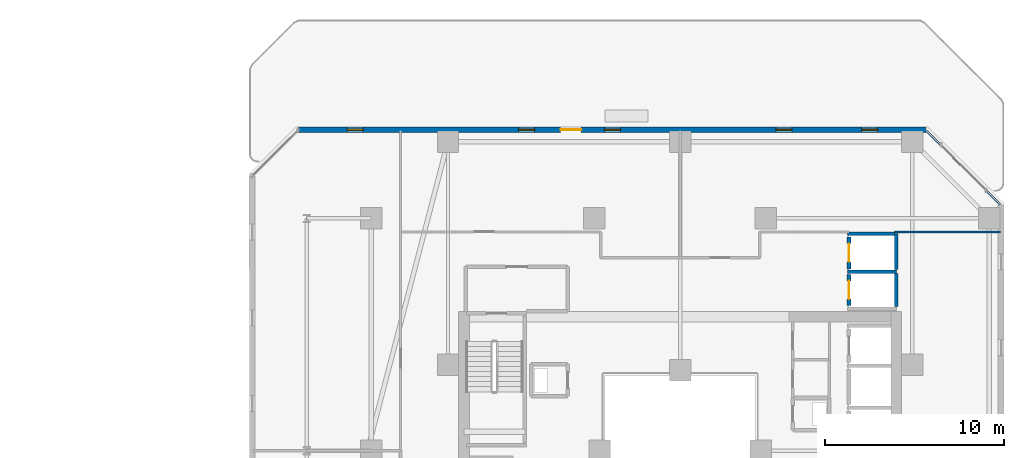
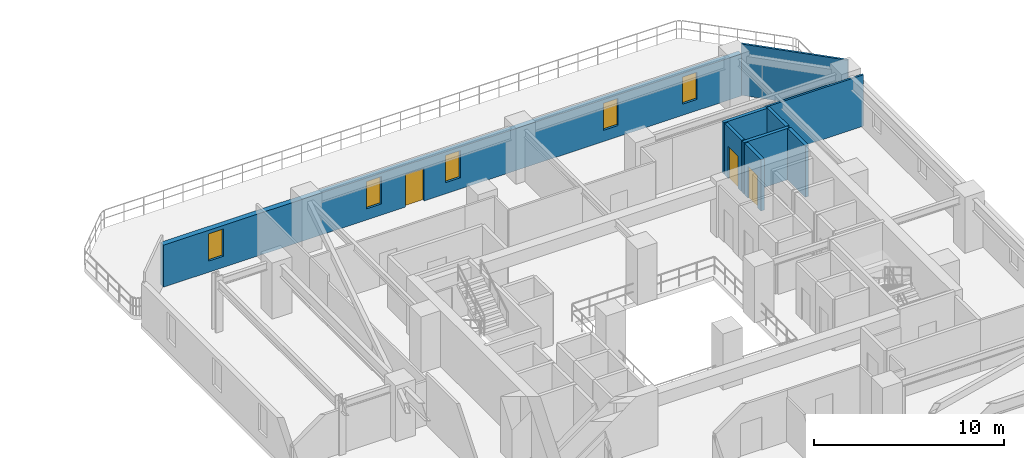
# One storey, part 27 of 33: 9 walls, 5 windows, 3 doors, 8 openings.
"""IFC4 building model written with IfcOpenShell, lengths in metres."""

import ifcopenshell
import ifcopenshell.guid

model = None  # the IFC model being written
_history = None  # IfcOwnerHistory: only IFC2X3 demands one
_inside = {}  # id of a spatial element -> (the spatial element, [elements in it])
_under = {}  # id of a project, library or spatial element -> (it, [spatial elements below it])
_declared = {}  # id of a project -> (the project, [libraries it declares])
_typed = {}  # id of a type object -> (the type object, [elements of that type])
_made_of = {}  # id of a material, layer set ... -> (it, [elements and type objects made of it])


def new_model(schema):
    """Start an empty IFC model of exactly this schema.

    Asked for "IFC4X3", IfcOpenShell would pick the latest addendum, in which some entities
    have other attributes; the version numbers below select the first issue.
    IFC2X3 requires an IfcOwnerHistory on every rooted entity: one is made here for all.
    """
    global model, _history
    if schema == "IFC4X3":
        model = ifcopenshell.file(schema_version=(4, 3, 0, 0))
    else:
        model = ifcopenshell.file(schema=schema)
    _inside.clear()
    _under.clear()
    _declared.clear()
    _typed.clear()
    _made_of.clear()
    _history = None
    if model.schema == "IFC2X3":
        org = make("IfcOrganization", Name="unknown")
        user = make(
            "IfcPersonAndOrganization",
            ThePerson=make("IfcPerson", FamilyName="unknown"),
            TheOrganization=org,
        )
        app = make(
            "IfcApplication",
            ApplicationDeveloper=org,
            Version="unknown",
            ApplicationFullName="unknown",
            ApplicationIdentifier="unknown",
        )
        _history = make(
            "IfcOwnerHistory",
            OwningUser=user,
            OwningApplication=app,
            ChangeAction="ADDED",
            CreationDate=0,
        )
    return model


def make(cls, **values):
    """One entity of the class cls with the attributes given. An attribute that is None is left unset."""
    return model.create_entity(
        cls, **{name: value for name, value in values.items() if value is not None}
    )


def rooted(cls, **values):
    """An entity with a GlobalId (a new one), such as an element, a storey or a relation."""
    return make(cls, GlobalId=ifcopenshell.guid.new(), OwnerHistory=_history, **values)


def si_unit(unit_type, name, prefix=None):
    """IfcSIUnit, for example si_unit("LENGTHUNIT", "METRE", prefix="MILLI")."""
    return make("IfcSIUnit", UnitType=unit_type, Prefix=prefix, Name=name)


def assignment(units):
    """IfcUnitAssignment: the units of a project."""
    return None if units is None else make("IfcUnitAssignment", Units=units)


def point(xyz):
    """IfcCartesianPoint."""
    return None if xyz is None else make("IfcCartesianPoint", Coordinates=xyz)


def direction(xyz):
    """IfcDirection."""
    return None if xyz is None else make("IfcDirection", DirectionRatios=xyz)


def frame(location, z_axis=None, x_axis=None):
    """IfcAxis2Placement3D, a coordinate frame: its origin and axes. An axis left out is left unset."""
    return make(
        "IfcAxis2Placement3D",
        Location=point(location),
        Axis=direction(z_axis),
        RefDirection=direction(x_axis),
    )


def frame_2d(location, x_axis=None):
    """IfcAxis2Placement2D, a coordinate frame in the plane: its origin and x axis."""
    return make(
        "IfcAxis2Placement2D", Location=point(location), RefDirection=direction(x_axis)
    )


def origin():
    """The frame at (0, 0, 0) with its axes left unset."""
    return frame((0.0, 0.0, 0.0))


def place(relative_to, where):
    """IfcLocalPlacement: puts the frame where relative to a parent placement (None: the world)."""
    return make(
        "IfcLocalPlacement", PlacementRelTo=relative_to, RelativePlacement=where
    )


def context(
    kind, dimensions, precision=None, world=None, true_north=None, identifier=None
):
    """IfcGeometricRepresentationContext, for example the 3D "Model" context."""
    return make(
        "IfcGeometricRepresentationContext",
        ContextIdentifier=identifier,
        ContextType=kind,
        CoordinateSpaceDimension=dimensions,
        Precision=precision,
        WorldCoordinateSystem=world,
        TrueNorth=true_north,
    )


def subcontext(parent, identifier, kind, view, scale=None):
    """IfcGeometricRepresentationSubContext, for example "Body" below "Model"."""
    return make(
        "IfcGeometricRepresentationSubContext",
        ContextIdentifier=identifier,
        ContextType=kind,
        ParentContext=parent,
        TargetScale=scale,
        TargetView=view,
    )


def project(units=None, contexts=None):
    """IfcProject with its units and contexts."""
    return rooted(
        "IfcProject",
        Name="project",
        RepresentationContexts=contexts,
        UnitsInContext=assignment(units),
    )


def spatial(cls, under=None, at=None, **own):
    """A site, building, storey or space (cls), placed at a placement, below another one or the project."""
    s = rooted(cls, ObjectPlacement=at, **own)
    if under is not None:
        _under.setdefault(under.id(), (under, []))[1].append(s)
    return s


def profile(cls, at=None, kind="AREA", **sizes):
    """A parametric profile (cls). Its sizes go by their IFC names, for example OverallWidth=200.0."""
    return make(cls, ProfileType=kind, Position=at, **sizes)


def rectangle(**sizes):
    """IfcRectangleProfileDef."""
    return profile("IfcRectangleProfileDef", **sizes)


def extrude(swept, where, along, depth):
    """IfcExtrudedAreaSolid: the profile swept, set in the frame where, extruded along a direction by depth."""
    return make(
        "IfcExtrudedAreaSolid",
        SweptArea=swept,
        Position=where,
        ExtrudedDirection=direction(along),
        Depth=depth,
    )


def shape(context_of_items, identifier, shape_type, items):
    """IfcShapeRepresentation: the items that make up one representation, for example the "Body"."""
    return make(
        "IfcShapeRepresentation",
        ContextOfItems=context_of_items,
        RepresentationIdentifier=identifier,
        RepresentationType=shape_type,
        Items=items,
    )


def material(Name=None, Category=None):
    """IfcMaterial."""
    return make("IfcMaterial", Name=Name, Category=Category)


def layer(
    of_material, thickness, ventilated=None, Name=None, Category=None, Priority=None
):
    """IfcMaterialLayer: one layer of a wall or slab, of a material (None: an air gap)."""
    return make(
        "IfcMaterialLayer",
        Material=of_material,
        LayerThickness=thickness,
        IsVentilated=ventilated,
        Name=Name,
        Category=Category,
        Priority=Priority,
    )


def layer_set(layers, Name=None):
    """IfcMaterialLayerSet."""
    return make("IfcMaterialLayerSet", MaterialLayers=layers, LayerSetName=Name)


def made_of(thing, what):
    """Note that an element or type object is made of a material, layer set ...; save() writes the relation."""
    if what is not None:
        _made_of.setdefault(what.id(), (what, []))[1].append(thing)
    return thing


def type_object(cls, material=None, **own):
    """A type object (cls), such as IfcWallType, which elements share."""
    return made_of(rooted(cls, **own), material)


def element(
    cls,
    number,
    at=None,
    inside=None,
    cuts=None,
    type_object=None,
    material=None,
    context=None,
    identifier="Body",
    shape_type=None,
    held_by="IfcProductDefinitionShape",
    body=None,
    shapes=None,
    **own,
):
    """One element of the class cls, such as IfcWall. Its Tag is "e" and its number.

    at: its placement. inside: the storey or other place that contains it. cuts: it is an
    opening in that element (IfcRelVoidsElement). A single representation is given by context,
    identifier, shape_type and body (its items); several are given by shapes. held_by: the class
    of the entity that holds the representations. save() writes the other relations.
    """
    e = rooted(cls, Tag="e%d" % number, ObjectPlacement=at, **own)
    if body is not None:
        shapes = [shape(context, identifier, shape_type, body)]
    if shapes is not None:
        e.Representation = make(held_by, Representations=shapes)
    if inside is not None:
        _inside.setdefault(inside.id(), (inside, []))[1].append(e)
    if cuts is not None:
        rooted(
            "IfcRelVoidsElement", RelatingBuildingElement=cuts, RelatedOpeningElement=e
        )
    if type_object is not None:
        _typed.setdefault(type_object.id(), (type_object, []))[1].append(e)
    return made_of(e, material)


def fill(opening, filler):
    """IfcRelFillsElement: the door or window that sits in an opening."""
    return rooted(
        "IfcRelFillsElement",
        RelatingOpeningElement=opening,
        RelatedBuildingElement=filler,
    )


def aggregate(whole, parts):
    """IfcRelAggregates: a whole, such as a stair, and the parts it consists of."""
    return rooted("IfcRelAggregates", RelatingObject=whole, RelatedObjects=parts)


def save(model, path):
    """Write the relations noted so far, then the file.

    IfcRelAggregates (storeys below a building ...), IfcRelContainedInSpatialStructure (elements
    in a storey), IfcRelDefinesByType, IfcRelAssociatesMaterial and IfcRelDeclares: one each for
    every whole, place, type object, material and project.
    """
    for whole, parts in _under.values():
        aggregate(whole, parts)
    for where, things in _inside.values():
        rooted(
            "IfcRelContainedInSpatialStructure",
            RelatedElements=things,
            RelatingStructure=where,
        )
    for kind, things in _typed.values():
        rooted("IfcRelDefinesByType", RelatedObjects=things, RelatingType=kind)
    for what, things in _made_of.values():
        rooted("IfcRelAssociatesMaterial", RelatedObjects=things, RelatingMaterial=what)
    for by, libraries in _declared.values():
        rooted("IfcRelDeclares", RelatingContext=by, RelatedDefinitions=libraries)
    model.write(path)


model = new_model("IFC4")

# Units and contexts
model_context = context("Model", 3, precision=1e-05, world=origin(), true_north=direction((0.0, 1.0)))
body_context = subcontext(model_context, "Body", "Model", "MODEL_VIEW")
ifc_project = project(units=[si_unit("LENGTHUNIT", "METRE"), si_unit("AREAUNIT", "SQUARE_METRE"), si_unit("VOLUMEUNIT", "CUBIC_METRE"), si_unit("PLANEANGLEUNIT", "RADIAN"), si_unit("MASSUNIT", "GRAM", prefix="KILO")], contexts=[model_context])

# Site, building, storey
site_placement = place(None, origin())
site = spatial("IfcSite", under=ifc_project, at=site_placement, CompositionType="ELEMENT")
building_placement = place(site_placement, origin())
building = spatial("IfcBuilding", under=site, at=building_placement, Name="Thornwick Lancets Civic Towers", CompositionType="ELEMENT")
storey_placement = place(building_placement, frame((0.0, 0.0, 98.10009765625)))
storey = spatial("IfcBuildingStorey", under=building, at=storey_placement, Name="L25", CompositionType="ELEMENT", Elevation=98.10009765625)

# Wall, opening, door
ifc_material_1 = material(Name="Concrete blockwork C40/50", Category="masonry")
ifc_layer_1 = layer(ifc_material_1, 0.199951171875, Name="Concrete blockwork C40/50")
ifc_layer_set_1 = layer_set([ifc_layer_1], Name="Concrete blockwork C40/50")
wall_type_1 = type_object("IfcWallType", Name="WALL_COMP_200", PredefinedType="STANDARD", material=ifc_layer_set_1)
wall_1_placement = place(storey_placement, frame((97.949951171875, 36.8701171875, 0.0), z_axis=(0.0, 0.0, 1.0), x_axis=(0.0, -1.0, 0.0)))
wall_1 = element("IfcWall", 1, at=wall_1_placement, inside=storey, type_object=wall_type_1, Name="L25 Hoistway Front Wall PL-BL2", PredefinedType="STANDARD", context=body_context, shape_type="SweptSolid", body=[
    extrude(rectangle(XDim=1.740234375, YDim=0.199951171875, at=frame_2d((0.8701171875, 0.0))), origin(), (0.0, 0.0, 1.0), 3.2998046875),
])
opening_1_placement = place(wall_1_placement, frame((0.360107421875, 0.0, 0.0)))
opening_1 = element("IfcOpeningElement", 2, at=opening_1_placement, cuts=wall_1, Name="Opening LD-PL-BL2", PredefinedType="OPENING", context=body_context, shape_type="SweptSolid", body=[
    extrude(rectangle(XDim=1.02001953125, YDim=2.06005859375, at=frame_2d((0.510009765625, 1.030029296875))), frame((0.0, 0.10986328125, 0.0), z_axis=(0.0, -1.0, 0.0), x_axis=(1.0, 0.0, 0.0)), (0.0, 0.0, 1.0), 0.219970703125),
])
ifc_material_2 = material(Name="Brushed bronze stainless steel", Category="steel")
door_type_1 = type_object("IfcDoorType", Name="DOOR_LIFT_SLIDE", OperationType="SLIDING_TO_LEFT", PredefinedType="DOOR", material=ifc_material_2)
door_1_placement = place(opening_1_placement, origin())
door_1 = element("IfcDoor", 3, at=door_1_placement, inside=storey, type_object=door_type_1, Name="L25 Sliding Lift Landing Door LD-PL-BL2", OperationType="SLIDING_TO_LEFT", OverallHeight=2.06005859375, OverallWidth=1.02001953125, PredefinedType="DOOR", context=body_context, shape_type="SweptSolid", body=[
    extrude(rectangle(XDim=1.02001953125, YDim=2.06005859375, at=frame_2d((0.510009765625, 1.030029296875))), frame((0.0, 0.02490234375, 0.0), z_axis=(0.0, -1.0, 0.0), x_axis=(1.0, 0.0, 0.0)), (0.0, 0.0, 1.0), 0.050048828125),
])
fill(opening_1, door_1)

wall_2_placement = place(storey_placement, frame((97.949951171875, 38.969970703125, 0.0), z_axis=(0.0, 0.0, 1.0), x_axis=(0.0, -1.0, 0.0)))
wall_2 = element("IfcWall", 4, at=wall_2_placement, inside=storey, type_object=wall_type_1, Name="L25 Hoistway Front Wall PL-BL3", PredefinedType="STANDARD", context=body_context, shape_type="SweptSolid", body=[
    extrude(rectangle(XDim=1.7900390625, YDim=0.199951171875, at=frame_2d((0.89501953125, 0.0))), origin(), (0.0, 0.0, 1.0), 3.2998046875),
])
opening_2_placement = place(wall_2_placement, frame((0.385009765625, 0.0, 0.0)))
opening_2 = element("IfcOpeningElement", 5, at=opening_2_placement, cuts=wall_2, Name="Opening LD-PL-BL3", PredefinedType="OPENING", context=body_context, shape_type="SweptSolid", body=[
    extrude(rectangle(XDim=1.02001953125, YDim=2.06005859375, at=frame_2d((0.510009765625, 1.030029296875))), frame((0.0, 0.10986328125, 0.0), z_axis=(0.0, -1.0, 0.0), x_axis=(1.0, 0.0, 0.0)), (0.0, 0.0, 1.0), 0.219970703125),
])
door_2_placement = place(opening_2_placement, origin())
door_2 = element("IfcDoor", 6, at=door_2_placement, inside=storey, type_object=door_type_1, Name="L25 Sliding Lift Landing Door LD-PL-BL3", OperationType="SLIDING_TO_LEFT", OverallHeight=2.06005859375, OverallWidth=1.02001953125, PredefinedType="DOOR", context=body_context, shape_type="SweptSolid", body=[
    extrude(rectangle(XDim=1.02001953125, YDim=2.06005859375, at=frame_2d((0.510009765625, 1.030029296875))), frame((0.0, 0.02490234375, 0.0), z_axis=(0.0, -1.0, 0.0), x_axis=(1.0, 0.0, 0.0)), (0.0, 0.0, 1.0), 0.050048828125),
])
fill(opening_2, door_2)

# Walls
wall_3_placement = place(storey_placement, frame((97.85205078125, 37.02490234375, 0.0), z_axis=(0.0, 0.0, 1.0), x_axis=(1.0, 0.0, 0.0)))
element("IfcWall", 7, at=wall_3_placement, inside=storey, type_object=wall_type_1, Name="L25 Hoistway Shaft Wall PL-BL2 N", PredefinedType="STANDARD", context=body_context, shape_type="SweptSolid", body=[
    extrude(rectangle(XDim=2.745849609375, YDim=0.199951171875, at=frame_2d((1.373046875, 0.0))), origin(), (0.0, 0.0, 1.0), 3.2998046875),
])
wall_4_placement = place(storey_placement, frame((100.60009765625, 35.06201171875, 0.0), z_axis=(0.0, 0.0, 1.0), x_axis=(0.0, 1.0, 0.0)))
element("IfcWall", 8, at=wall_4_placement, inside=storey, type_object=wall_type_1, Name="L25 Hoistway Shaft Wall PL-BL2 E", PredefinedType="STANDARD", context=body_context, shape_type="SweptSolid", body=[
    extrude(rectangle(XDim=1.85595703125, YDim=0.199951171875, at=frame_2d((0.927978515625, 0.0))), origin(), (0.0, 0.0, 1.0), 3.2998046875),
])
wall_5_placement = place(storey_placement, frame((100.60009765625, 37.132080078125, 0.0), z_axis=(0.0, 0.0, 1.0), x_axis=(0.0, 1.0, 0.0)))
element("IfcWall", 9, at=wall_5_placement, inside=storey, type_object=wall_type_1, Name="L25 Hoistway Shaft Wall PL-BL2 E", PredefinedType="STANDARD", context=body_context, shape_type="SweptSolid", body=[
    extrude(rectangle(XDim=2.015869140625, YDim=0.199951171875, at=frame_2d((1.0078125, 0.0))), origin(), (0.0, 0.0, 1.0), 3.2998046875),
])
wall_6_placement = place(storey_placement, frame((97.85205078125, 39.14990234375, 0.0), z_axis=(0.0, 0.0, 1.0), x_axis=(1.0, 0.0, 0.0)))
element("IfcWall", 10, at=wall_6_placement, inside=storey, type_object=wall_type_1, Name="L25 Hoistway Shaft Wall PL-BL3 N", PredefinedType="STANDARD", context=body_context, shape_type="SweptSolid", body=[
    extrude(rectangle(XDim=2.635986328125, YDim=0.199951171875, at=frame_2d((1.31787109375, 0.0))), origin(), (0.0, 0.0, 1.0), 3.2998046875),
])

# Wall, openings, door, windows
ifc_material_3 = material(Name="Insulated buff terracotta rainscreen on concrete C40/50", Category="masonry")
ifc_layer_2 = layer(ifc_material_3, 0.320068359375, Name="Insulated buff terracotta rainscreen on concrete C40/50")
ifc_layer_set_2 = layer_set([ifc_layer_2], Name="Insulated buff terracotta rainscreen on concrete C40/50")
wall_type_2 = type_object("IfcWallType", Name="WALL_EXT_TERRA_320", PredefinedType="STANDARD", material=ifc_layer_set_2)
wall_7_placement = place(storey_placement, frame((102.251708984375, 44.95947265625, 0.0), z_axis=(0.0, 0.0, 1.0), x_axis=(-0.999999989352, 0.000145929605, 0.0)))
wall_7 = element("IfcWall", 11, at=wall_7_placement, inside=storey, type_object=wall_type_2, Name="L25 Tower B Terracotta Facade Wall E4", PredefinedType="STANDARD", context=body_context, shape_type="SweptSolid", body=[
    extrude(rectangle(XDim=35.133056640625, YDim=0.320068359375, at=frame_2d((17.56640625, 0.0))), origin(), (0.0, 0.0, 1.0), 2.699951171875),
])
opening_3_placement = place(wall_7_placement, frame((19.29150390625, 0.0, 0.0)))
opening_3 = element("IfcOpeningElement", 12, at=opening_3_placement, cuts=wall_7, Name="Opening D-SG-L25-B4", PredefinedType="OPENING", context=body_context, shape_type="SweptSolid", body=[
    extrude(rectangle(XDim=1.14990234375, YDim=2.10009765625, at=frame_2d((0.574951171875, 1.050048828125))), frame((0.0, 0.169921875, 0.0), z_axis=(0.0, -1.0, 0.0), x_axis=(1.0, 0.0, 0.0)), (0.0, 0.0, 1.0), 0.340087890625),
])
opening_4_placement = place(wall_7_placement, frame((2.699951171875, 0.0, 0.719970703125)))
opening_4 = element("IfcOpeningElement", 13, at=opening_4_placement, cuts=wall_7, Name="Opening WL-01", PredefinedType="OPENING", context=body_context, shape_type="SweptSolid", body=[
    extrude(rectangle(XDim=0.89990234375, YDim=1.75, at=frame_2d((0.449951171875, 0.875))), frame((0.0, 0.169921875, 0.0), z_axis=(0.0, -1.0, 0.0), x_axis=(1.0, 0.0, 0.0)), (0.0, 0.0, 1.0), 0.340087890625),
])
opening_5_placement = place(wall_7_placement, frame((7.5, 0.0, 0.719970703125)))
opening_5 = element("IfcOpeningElement", 14, at=opening_5_placement, cuts=wall_7, Name="Opening WL-01", PredefinedType="OPENING", context=body_context, shape_type="SweptSolid", body=[
    extrude(rectangle(XDim=0.89990234375, YDim=1.75, at=frame_2d((0.449951171875, 0.875))), frame((0.0, 0.169921875, 0.0), z_axis=(0.0, -1.0, 0.0), x_axis=(1.0, 0.0, 0.0)), (0.0, 0.0, 1.0), 0.340087890625),
])
opening_6_placement = place(wall_7_placement, frame((17.10009765625, 0.0, 0.719970703125)))
opening_6 = element("IfcOpeningElement", 15, at=opening_6_placement, cuts=wall_7, Name="Opening WL-01", PredefinedType="OPENING", context=body_context, shape_type="SweptSolid", body=[
    extrude(rectangle(XDim=0.89990234375, YDim=1.75, at=frame_2d((0.449951171875, 0.875))), frame((0.0, 0.169921875, 0.0), z_axis=(0.0, -1.0, 0.0), x_axis=(1.0, 0.0, 0.0)), (0.0, 0.0, 1.0), 0.340087890625),
])
opening_7_placement = place(wall_7_placement, frame((21.89990234375, 0.0, 0.719970703125)))
opening_7 = element("IfcOpeningElement", 16, at=opening_7_placement, cuts=wall_7, Name="Opening WL-01", PredefinedType="OPENING", context=body_context, shape_type="SweptSolid", body=[
    extrude(rectangle(XDim=0.89990234375, YDim=1.75, at=frame_2d((0.449951171875, 0.875))), frame((0.0, 0.169921875, 0.0), z_axis=(0.0, -1.0, 0.0), x_axis=(1.0, 0.0, 0.0)), (0.0, 0.0, 1.0), 0.340087890625),
])
opening_8_placement = place(wall_7_placement, frame((31.5, 0.0, 0.719970703125)))
opening_8 = element("IfcOpeningElement", 17, at=opening_8_placement, cuts=wall_7, Name="Opening WL-01", PredefinedType="OPENING", context=body_context, shape_type="SweptSolid", body=[
    extrude(rectangle(XDim=0.89990234375, YDim=1.75, at=frame_2d((0.449951171875, 0.875))), frame((0.0, 0.169921875, 0.0), z_axis=(0.0, -1.0, 0.0), x_axis=(1.0, 0.0, 0.0)), (0.0, 0.0, 1.0), 0.340087890625),
])
ifc_material_4 = material(Name="Thermally broken glazed terrace doorset")
door_type_2 = type_object("IfcDoorType", Name="DOOR_TERRACE_1200", OperationType="NOTDEFINED", PredefinedType="DOOR", material=ifc_material_4)
door_3_placement = place(opening_3_placement, origin())
door_3 = element("IfcDoor", 18, at=door_3_placement, inside=storey, type_object=door_type_2, Name="L25 Tower B Sky-Garden Terrace Door", OperationType="SINGLE_SWING_RIGHT", OverallHeight=2.10009765625, OverallWidth=1.14990234375, PredefinedType="DOOR", context=body_context, shape_type="SweptSolid", body=[
    extrude(rectangle(XDim=1.14990234375, YDim=2.10009765625, at=frame_2d((0.574951171875, 1.050048828125))), frame((0.0, 0.02490234375, 0.0), z_axis=(0.0, -1.0, 0.0), x_axis=(1.0, 0.0, 0.0)), (0.0, 0.0, 1.0), 0.050048828125),
])
fill(opening_3, door_3)
ifc_material_5 = material(Name="Clear low-e double glazing in bronze frame", Category="glass")
window_type = type_object("IfcWindowType", Name="WIN_LANCET_900", PartitioningType="SINGLE_PANEL", PredefinedType="WINDOW", material=ifc_material_5)
window_1_placement = place(opening_4_placement, origin())
window_1 = element("IfcWindow", 19, at=window_1_placement, inside=storey, type_object=window_type, Name="L25 Tower B Staggered Lancet Window E4-1", OverallHeight=1.75, OverallWidth=0.89990234375, PartitioningType="SINGLE_PANEL", PredefinedType="WINDOW", context=body_context, shape_type="SweptSolid", body=[
    extrude(rectangle(XDim=0.89990234375, YDim=1.75, at=frame_2d((0.449951171875, 0.875))), frame((0.0, 0.030029296875, 0.0), z_axis=(0.0, -1.0, 0.0), x_axis=(1.0, 0.0, 0.0)), (0.0, 0.0, 1.0), 0.06005859375),
])
fill(opening_4, window_1)
window_2_placement = place(opening_5_placement, origin())
window_2 = element("IfcWindow", 20, at=window_2_placement, inside=storey, type_object=window_type, Name="L25 Tower B Staggered Lancet Window E4-2", OverallHeight=1.75, OverallWidth=0.89990234375, PartitioningType="SINGLE_PANEL", PredefinedType="WINDOW", context=body_context, shape_type="SweptSolid", body=[
    extrude(rectangle(XDim=0.89990234375, YDim=1.75, at=frame_2d((0.449951171875, 0.875))), frame((0.0, 0.030029296875, 0.0), z_axis=(0.0, -1.0, 0.0), x_axis=(1.0, 0.0, 0.0)), (0.0, 0.0, 1.0), 0.06005859375),
])
fill(opening_5, window_2)
window_3_placement = place(opening_6_placement, origin())
window_3 = element("IfcWindow", 21, at=window_3_placement, inside=storey, type_object=window_type, Name="L25 Tower B Staggered Lancet Window E4-3", OverallHeight=1.75, OverallWidth=0.89990234375, PartitioningType="SINGLE_PANEL", PredefinedType="WINDOW", context=body_context, shape_type="SweptSolid", body=[
    extrude(rectangle(XDim=0.89990234375, YDim=1.75, at=frame_2d((0.449951171875, 0.875))), frame((0.0, 0.030029296875, 0.0), z_axis=(0.0, -1.0, 0.0), x_axis=(1.0, 0.0, 0.0)), (0.0, 0.0, 1.0), 0.06005859375),
])
fill(opening_6, window_3)
window_4_placement = place(opening_7_placement, origin())
window_4 = element("IfcWindow", 22, at=window_4_placement, inside=storey, type_object=window_type, Name="L25 Tower B Staggered Lancet Window E4-4", OverallHeight=1.75, OverallWidth=0.89990234375, PartitioningType="SINGLE_PANEL", PredefinedType="WINDOW", context=body_context, shape_type="SweptSolid", body=[
    extrude(rectangle(XDim=0.89990234375, YDim=1.75, at=frame_2d((0.449951171875, 0.875))), frame((0.0, 0.030029296875, 0.0), z_axis=(0.0, -1.0, 0.0), x_axis=(1.0, 0.0, 0.0)), (0.0, 0.0, 1.0), 0.06005859375),
])
fill(opening_7, window_4)
window_5_placement = place(opening_8_placement, origin())
window_5 = element("IfcWindow", 23, at=window_5_placement, inside=storey, type_object=window_type, Name="L25 Tower B Staggered Lancet Window E4-5", OverallHeight=1.75, OverallWidth=0.89990234375, PartitioningType="SINGLE_PANEL", PredefinedType="WINDOW", context=body_context, shape_type="SweptSolid", body=[
    extrude(rectangle(XDim=0.89990234375, YDim=1.75, at=frame_2d((0.449951171875, 0.875))), frame((0.0, 0.030029296875, 0.0), z_axis=(0.0, -1.0, 0.0), x_axis=(1.0, 0.0, 0.0)), (0.0, 0.0, 1.0), 0.06005859375),
])
fill(opening_8, window_5)

# Walls
ifc_material_6 = material(Name="Acoustic gypsum board partition")
ifc_layer_3 = layer(ifc_material_6, 0.1201171875, Name="Acoustic gypsum board partition")
ifc_layer_set_3 = layer_set([ifc_layer_3], Name="Acoustic gypsum board partition")
wall_type_3 = type_object("IfcWallType", Name="WALL_PART_120", PredefinedType="PARTITIONING", material=ifc_layer_set_3)
wall_8_placement = place(storey_placement, frame((106.419921875, 39.25, 0.0), z_axis=(0.0, 0.0, 1.0), x_axis=(-1.0, 0.0, 0.0)))
element("IfcWall", 24, at=wall_8_placement, inside=storey, type_object=wall_type_3, Name="L25 Partition L25-B-E1 E2", PredefinedType="PARTITIONING", context=body_context, shape_type="SweptSolid", body=[
    extrude(rectangle(XDim=5.931884765625, YDim=0.1201171875, at=frame_2d((2.9658203125, 0.0))), origin(), (0.0, 0.0, 1.0), 3.2998046875),
])
wall_9_placement = place(storey_placement, frame((102.289306640625, 44.919921875, 0.0), z_axis=(0.0, 0.0, 1.0), x_axis=(0.707106781187, -0.707106781187, 0.0)))
element("IfcWall", 25, at=wall_9_placement, inside=storey, type_object=wall_type_3, Name="L25 Partition L25-B-E1 E9", PredefinedType="PARTITIONING", context=body_context, shape_type="SweptSolid", body=[
    extrude(rectangle(XDim=5.841552734375, YDim=0.1201171875, at=frame_2d((2.9208984375, 0.0))), origin(), (0.0, 0.0, 1.0), 3.2998046875),
])

save(model, "model.ifc")
